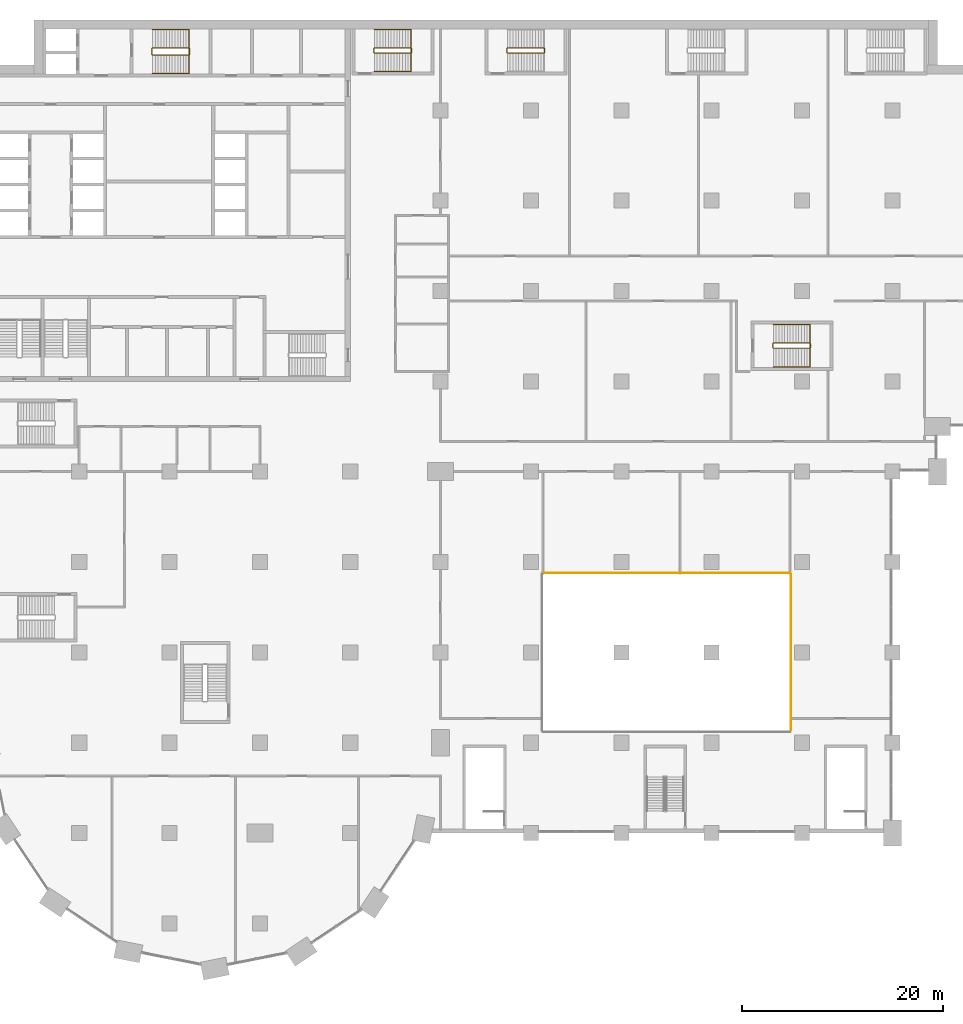
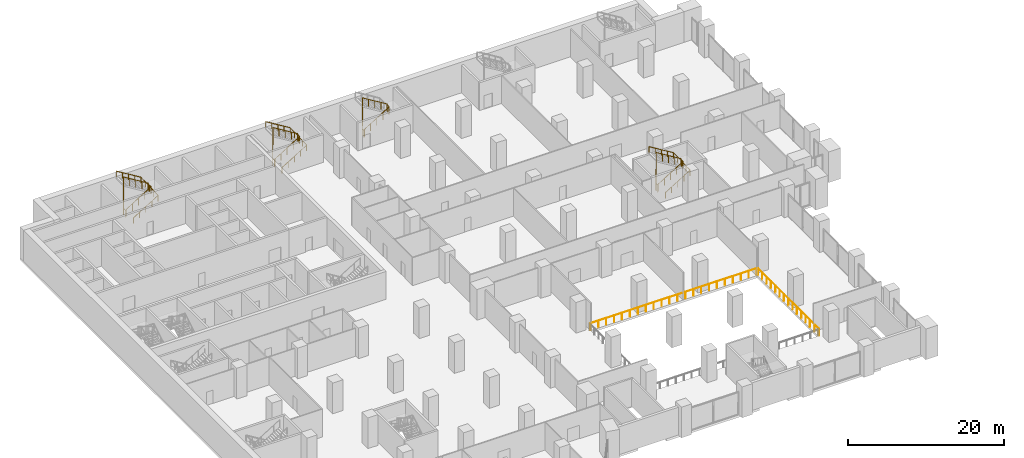
# One storey, part 31 of 32: 9 railings.
"""IFC4 building model written with IfcOpenShell, lengths in metres."""

from ifc_helpers import new_model, si_unit, direction, frame, origin, origin_2d, place, context, subcontext, project, spatial, circle, extrude, material, type_object, element, save


model = new_model("IFC4")

# Units and contexts
model_context = context("Model", 3, precision=1e-05, world=origin(), true_north=direction((0.0, 1.0)))
body_context = subcontext(model_context, "Body", "Model", "MODEL_VIEW")
ifc_project = project(units=[si_unit("LENGTHUNIT", "METRE"), si_unit("AREAUNIT", "SQUARE_METRE"), si_unit("VOLUMEUNIT", "CUBIC_METRE"), si_unit("PLANEANGLEUNIT", "RADIAN"), si_unit("MASSUNIT", "GRAM", prefix="KILO")], contexts=[model_context])

# Site, building, storey
site_placement = place(None, origin())
site = spatial("IfcSite", under=ifc_project, at=site_placement, CompositionType="ELEMENT")
building_placement = place(site_placement, origin())
building = spatial("IfcBuilding", under=site, at=building_placement, Name="Hunhe Ridgeline Campus", CompositionType="ELEMENT")
storey_placement = place(building_placement, frame((0.0, 0.0, 26.39990234375)))
storey = spatial("IfcBuildingStorey", under=building, at=storey_placement, Name="L05", CompositionType="ELEMENT", Elevation=26.39990234375)

# Railings
ifc_material_1 = material(Name="Glass and steel", Category="steel")
railing_type_1 = type_object("IfcRailingType", Name="Atrium glass guard 1100", PredefinedType="GUARDRAIL", material=ifc_material_1)
railing_1_placement = place(storey_placement, frame((79.919921875, 28.199951171875, 0.0)))
element("IfcRailing", 1, at=railing_1_placement, inside=storey, type_object=railing_type_1, Name="L05 atrium guard", PredefinedType="GUARDRAIL", context=body_context, shape_type="SweptSolid", body=[
    extrude(circle(Radius=0.02392578125, at=origin_2d()), frame((0.0, 0.0, 1.076171875), z_axis=(0.0, 1.0, 0.0), x_axis=(-1.0, 0.0, 0.0)), (0.0, 0.0, 1.0), 15.60009765625),
    extrude(circle(Radius=0.02099609375, at=origin_2d()), origin(), (0.0, 0.0, 1.0), 1.052001953125),
    extrude(circle(Radius=0.02099609375, at=origin_2d()), frame((0.0, 1.1142578125, 0.0)), (0.0, 0.0, 1.0), 1.052001953125),
    extrude(circle(Radius=0.02099609375, at=origin_2d()), frame((0.0, 2.228515625, 0.0)), (0.0, 0.0, 1.0), 1.052001953125),
    extrude(circle(Radius=0.02099609375, at=origin_2d()), frame((0.0, 3.3427734375, 0.0)), (0.0, 0.0, 1.0), 1.052001953125),
    extrude(circle(Radius=0.02099609375, at=origin_2d()), frame((0.0, 4.457275390625, 0.0)), (0.0, 0.0, 1.0), 1.052001953125),
    extrude(circle(Radius=0.02099609375, at=origin_2d()), frame((0.0, 5.571533203125, 0.0)), (0.0, 0.0, 1.0), 1.052001953125),
    extrude(circle(Radius=0.02099609375, at=origin_2d()), frame((0.0, 6.685791015625, 0.0)), (0.0, 0.0, 1.0), 1.052001953125),
    extrude(circle(Radius=0.02099609375, at=origin_2d()), frame((0.0, 7.800048828125, 0.0)), (0.0, 0.0, 1.0), 1.052001953125),
    extrude(circle(Radius=0.02099609375, at=origin_2d()), frame((0.0, 8.914306640625, 0.0)), (0.0, 0.0, 1.0), 1.052001953125),
    extrude(circle(Radius=0.02099609375, at=origin_2d()), frame((0.0, 10.028564453125, 0.0)), (0.0, 0.0, 1.0), 1.052001953125),
    extrude(circle(Radius=0.02099609375, at=origin_2d()), frame((0.0, 11.142822265625, 0.0)), (0.0, 0.0, 1.0), 1.052001953125),
    extrude(circle(Radius=0.02099609375, at=origin_2d()), frame((0.0, 12.25732421875, 0.0)), (0.0, 0.0, 1.0), 1.052001953125),
    extrude(circle(Radius=0.02099609375, at=origin_2d()), frame((0.0, 13.37158203125, 0.0)), (0.0, 0.0, 1.0), 1.052001953125),
    extrude(circle(Radius=0.02099609375, at=origin_2d()), frame((0.0, 14.48583984375, 0.0)), (0.0, 0.0, 1.0), 1.052001953125),
    extrude(circle(Radius=0.02099609375, at=origin_2d()), frame((0.0, 15.60009765625, 0.0)), (0.0, 0.0, 1.0), 1.052001953125),
])
railing_2_placement = place(storey_placement, frame((79.800048828125, 43.919921875, 0.0)))
element("IfcRailing", 2, at=railing_2_placement, inside=storey, type_object=railing_type_1, Name="L05 atrium guard", PredefinedType="GUARDRAIL", context=body_context, shape_type="SweptSolid", body=[
    extrude(circle(Radius=0.02392578125, at=origin_2d()), frame((0.0, 0.0, 1.076171875), z_axis=(-1.0, 0.0, 0.0), x_axis=(0.0, -1.0, 0.0)), (0.0, 0.0, 1.0), 24.60009765625),
    extrude(circle(Radius=0.02099609375, at=origin_2d()), origin(), (0.0, 0.0, 1.0), 1.052001953125),
    extrude(circle(Radius=0.02099609375, at=origin_2d()), frame((-1.17138671875, 0.0, 0.0)), (0.0, 0.0, 1.0), 1.052001953125),
    extrude(circle(Radius=0.02099609375, at=origin_2d()), frame((-2.3427734375, 0.0, 0.0)), (0.0, 0.0, 1.0), 1.052001953125),
    extrude(circle(Radius=0.02099609375, at=origin_2d()), frame((-3.514404296875, 0.0, 0.0)), (0.0, 0.0, 1.0), 1.052001953125),
    extrude(circle(Radius=0.02099609375, at=origin_2d()), frame((-4.685791015625, 0.0, 0.0)), (0.0, 0.0, 1.0), 1.052001953125),
    extrude(circle(Radius=0.02099609375, at=origin_2d()), frame((-5.857177734375, 0.0, 0.0)), (0.0, 0.0, 1.0), 1.052001953125),
    extrude(circle(Radius=0.02099609375, at=origin_2d()), frame((-7.028564453125, 0.0, 0.0)), (0.0, 0.0, 1.0), 1.052001953125),
    extrude(circle(Radius=0.02099609375, at=origin_2d()), frame((-8.199951171875, 0.0, 0.0)), (0.0, 0.0, 1.0), 1.052001953125),
    extrude(circle(Radius=0.02099609375, at=origin_2d()), frame((-9.37158203125, 0.0, 0.0)), (0.0, 0.0, 1.0), 1.052001953125),
    extrude(circle(Radius=0.02099609375, at=origin_2d()), frame((-10.54296875, 0.0, 0.0)), (0.0, 0.0, 1.0), 1.052001953125),
    extrude(circle(Radius=0.02099609375, at=origin_2d()), frame((-11.71435546875, 0.0, 0.0)), (0.0, 0.0, 1.0), 1.052001953125),
    extrude(circle(Radius=0.02099609375, at=origin_2d()), frame((-12.8857421875, 0.0, 0.0)), (0.0, 0.0, 1.0), 1.052001953125),
    extrude(circle(Radius=0.02099609375, at=origin_2d()), frame((-14.05712890625, 0.0, 0.0)), (0.0, 0.0, 1.0), 1.052001953125),
    extrude(circle(Radius=0.02099609375, at=origin_2d()), frame((-15.228515625, 0.0, 0.0)), (0.0, 0.0, 1.0), 1.052001953125),
    extrude(circle(Radius=0.02099609375, at=origin_2d()), frame((-16.400146484375, 0.0, 0.0)), (0.0, 0.0, 1.0), 1.052001953125),
    extrude(circle(Radius=0.02099609375, at=origin_2d()), frame((-17.571533203125, 0.0, 0.0)), (0.0, 0.0, 1.0), 1.052001953125),
    extrude(circle(Radius=0.02099609375, at=origin_2d()), frame((-18.742919921875, 0.0, 0.0)), (0.0, 0.0, 1.0), 1.052001953125),
    extrude(circle(Radius=0.02099609375, at=origin_2d()), frame((-19.914306640625, 0.0, 0.0)), (0.0, 0.0, 1.0), 1.052001953125),
    extrude(circle(Radius=0.02099609375, at=origin_2d()), frame((-21.085693359375, 0.0, 0.0)), (0.0, 0.0, 1.0), 1.052001953125),
    extrude(circle(Radius=0.02099609375, at=origin_2d()), frame((-22.25732421875, 0.0, 0.0)), (0.0, 0.0, 1.0), 1.052001953125),
    extrude(circle(Radius=0.02099609375, at=origin_2d()), frame((-23.4287109375, 0.0, 0.0)), (0.0, 0.0, 1.0), 1.052001953125),
    extrude(circle(Radius=0.02099609375, at=origin_2d()), frame((-24.60009765625, 0.0, 0.0)), (0.0, 0.0, 1.0), 1.052001953125),
])
ifc_material_2 = material(Name="Stainless steel balustrade", Category="steel")
railing_type_2 = type_object("IfcRailingType", Name="Stair guard 1100 stainless", PredefinedType="GUARDRAIL", material=ifc_material_2)
railing_3_placement = place(storey_placement, frame((16.300048828125, 95.5, 0.171630859375)))
element("IfcRailing", 3, at=railing_3_placement, inside=storey, type_object=railing_type_2, Name="L05 stair S1 guard", PredefinedType="GUARDRAIL", context=body_context, shape_type="SweptSolid", body=[
    extrude(circle(Radius=0.02392578125, at=origin_2d()), frame((0.0, 0.0, 1.076171875), z_axis=(0.852850264322, 0.0, 0.5221555579), x_axis=(0.0, 1.0, 0.0)), (0.0, 0.0, 1.0), 4.267822265625),
    extrude(circle(Radius=0.02392578125, at=origin_2d()), frame((3.639892578125, 0.0, 3.3046875), z_axis=(0.707106781187, 0.707106781187, 0.0), x_axis=(-0.707106781187, 0.707106781187, 0.0)), (0.0, 0.0, 1.0), 0.07080078125),
    extrude(circle(Radius=0.02392578125, at=origin_2d()), frame((3.68994140625, 0.050048828125, 3.3046875), z_axis=(0.0, 1.0, 0.0), x_axis=(-1.0, 0.0, 0.0)), (0.0, 0.0, 1.0), 0.599853515625),
    extrude(circle(Radius=0.02392578125, at=origin_2d()), frame((3.68994140625, 0.64990234375, 3.3046875), z_axis=(-0.269911200495, 0.269911200495, 0.924281281696), x_axis=(-0.707106781187, -0.707106781187, 0.0)), (0.0, 0.0, 1.0), 0.185546875),
    extrude(circle(Radius=0.02392578125, at=origin_2d()), frame((3.639892578125, 0.699951171875, 3.47607421875), z_axis=(-0.852850264322, 0.0, 0.5221555579), x_axis=(0.0, -1.0, 0.0)), (0.0, 0.0, 1.0), 4.267822265625),
    extrude(circle(Radius=0.02392578125, at=origin_2d()), frame((0.0, 0.699951171875, 5.70458984375), z_axis=(-0.010425599751, -0.010425599751, -0.999891300962), x_axis=(0.707106781187, -0.707106781187, 0.0)), (0.0, 0.0, 1.0), 4.800537109375),
    extrude(circle(Radius=0.02392578125, at=origin_2d()), frame((-0.050048828125, 0.64990234375, 0.904296875), z_axis=(0.0, -1.0, 0.0), x_axis=(1.0, 0.0, 0.0)), (0.0, 0.0, 1.0), 0.599853515625),
    extrude(circle(Radius=0.02099609375, at=origin_2d()), origin(), (0.0, 0.0, 1.0), 1.052001953125),
    extrude(circle(Radius=0.02099609375, at=origin_2d()), frame((0.909912109375, 0.0, 0.55712890625)), (0.0, 0.0, 1.0), 1.052001953125),
    extrude(circle(Radius=0.02099609375, at=origin_2d()), frame((1.81982421875, 0.0, 1.1142578125)), (0.0, 0.0, 1.0), 1.052001953125),
    extrude(circle(Radius=0.02099609375, at=origin_2d()), frame((2.72998046875, 0.0, 1.67138671875)), (0.0, 0.0, 1.0), 1.052001953125),
    extrude(circle(Radius=0.02099609375, at=origin_2d()), frame((3.639892578125, 0.0, 2.228515625)), (0.0, 0.0, 1.0), 1.052001953125),
    extrude(circle(Radius=0.02099609375, at=origin_2d()), frame((3.68994140625, 0.050048828125, 2.228515625)), (0.0, 0.0, 1.0), 1.052001953125),
    extrude(circle(Radius=0.02099609375, at=origin_2d()), frame((3.68994140625, 0.64990234375, 2.228515625)), (0.0, 0.0, 1.0), 1.052001953125),
    extrude(circle(Radius=0.02099609375, at=origin_2d()), frame((3.639892578125, 0.699951171875, 2.39990234375)), (0.0, 0.0, 1.0), 1.052001953125),
    extrude(circle(Radius=0.02099609375, at=origin_2d()), frame((2.72998046875, 0.699951171875, 2.95703125)), (0.0, 0.0, 1.0), 1.052001953125),
    extrude(circle(Radius=0.02099609375, at=origin_2d()), frame((1.81982421875, 0.699951171875, 3.51416015625)), (0.0, 0.0, 1.0), 1.052001953125),
    extrude(circle(Radius=0.02099609375, at=origin_2d()), frame((0.909912109375, 0.699951171875, 4.0712890625)), (0.0, 0.0, 1.0), 1.052001953125),
    extrude(circle(Radius=0.02099609375, at=origin_2d()), frame((0.0, 0.699951171875, 4.62841796875)), (0.0, 0.0, 1.0), 1.052001953125),
    extrude(circle(Radius=0.02099609375, at=origin_2d()), frame((-0.010009765625, 0.68994140625, 3.66845703125)), (0.0, 0.0, 1.0), 1.052001953125),
    extrude(circle(Radius=0.02099609375, at=origin_2d()), frame((-0.02001953125, 0.679931640625, 2.70849609375)), (0.0, 0.0, 1.0), 1.052001953125),
    extrude(circle(Radius=0.02099609375, at=origin_2d()), frame((-0.030029296875, 0.669921875, 1.748291015625)), (0.0, 0.0, 1.0), 1.052001953125),
    extrude(circle(Radius=0.02099609375, at=origin_2d()), frame((-0.0400390625, 0.659912109375, 0.788330078125)), (0.0, 0.0, 1.0), 1.052001953125),
    extrude(circle(Radius=0.02099609375, at=origin_2d()), frame((-0.050048828125, 0.64990234375, -0.171630859375)), (0.0, 0.0, 1.0), 1.052001953125),
    extrude(circle(Radius=0.02099609375, at=origin_2d()), frame((-0.050048828125, 0.050048828125, -0.171630859375)), (0.0, 0.0, 1.0), 1.052001953125),
])
railing_4_placement = place(storey_placement, frame((38.39990234375, 95.699951171875, 0.171630859375)))
element("IfcRailing", 4, at=railing_4_placement, inside=storey, type_object=railing_type_2, Name="L05 stair E1 guard", PredefinedType="GUARDRAIL", context=body_context, shape_type="SweptSolid", body=[
    extrude(circle(Radius=0.02392578125, at=origin_2d()), frame((0.0, 0.0, 1.076171875), z_axis=(0.852865859571, 0.0, 0.52213008492), x_axis=(0.0, 1.0, 0.0)), (0.0, 0.0, 1.0), 4.26806640625),
    extrude(circle(Radius=0.02392578125, at=origin_2d()), frame((3.64013671875, 0.0, 3.3046875), z_axis=(0.707106781187, 0.707106781187, 0.0), x_axis=(-0.707106781187, 0.707106781187, 0.0)), (0.0, 0.0, 1.0), 0.07080078125),
    extrude(circle(Radius=0.02392578125, at=origin_2d()), frame((3.690185546875, 0.050048828125, 3.3046875), z_axis=(0.0, 1.0, 0.0), x_axis=(-1.0, 0.0, 0.0)), (0.0, 0.0, 1.0), 0.39990234375),
    extrude(circle(Radius=0.02392578125, at=origin_2d()), frame((3.690185546875, 0.449951171875, 3.3046875), z_axis=(-0.269911200495, 0.269911200495, 0.924281281696), x_axis=(-0.707106781187, -0.707106781187, 0.0)), (0.0, 0.0, 1.0), 0.185546875),
    extrude(circle(Radius=0.02392578125, at=origin_2d()), frame((3.64013671875, 0.5, 3.47607421875), z_axis=(-0.852865859571, 0.0, 0.52213008492), x_axis=(0.0, -1.0, 0.0)), (0.0, 0.0, 1.0), 4.26806640625),
    extrude(circle(Radius=0.02392578125, at=origin_2d()), frame((0.0, 0.5, 5.70458984375), z_axis=(-0.010374748654, -0.010425605265, -0.999891829822), x_axis=(0.708833529934, -0.705375805398, 0.0)), (0.0, 0.0, 1.0), 4.800537109375),
    extrude(circle(Radius=0.02392578125, at=origin_2d()), frame((-0.0498046875, 0.449951171875, 0.904296875), z_axis=(0.0, -1.0, 0.0), x_axis=(1.0, 0.0, 0.0)), (0.0, 0.0, 1.0), 0.39990234375),
    extrude(circle(Radius=0.02099609375, at=origin_2d()), origin(), (0.0, 0.0, 1.0), 1.052001953125),
    extrude(circle(Radius=0.02099609375, at=origin_2d()), frame((0.91015625, 0.0, 0.55712890625)), (0.0, 0.0, 1.0), 1.052001953125),
    extrude(circle(Radius=0.02099609375, at=origin_2d()), frame((1.820068359375, 0.0, 1.1142578125)), (0.0, 0.0, 1.0), 1.052001953125),
    extrude(circle(Radius=0.02099609375, at=origin_2d()), frame((2.72998046875, 0.0, 1.67138671875)), (0.0, 0.0, 1.0), 1.052001953125),
    extrude(circle(Radius=0.02099609375, at=origin_2d()), frame((3.64013671875, 0.0, 2.228515625)), (0.0, 0.0, 1.0), 1.052001953125),
    extrude(circle(Radius=0.02099609375, at=origin_2d()), frame((3.690185546875, 0.050048828125, 2.228515625)), (0.0, 0.0, 1.0), 1.052001953125),
    extrude(circle(Radius=0.02099609375, at=origin_2d()), frame((3.690185546875, 0.449951171875, 2.228515625)), (0.0, 0.0, 1.0), 1.052001953125),
    extrude(circle(Radius=0.02099609375, at=origin_2d()), frame((3.64013671875, 0.5, 2.39990234375)), (0.0, 0.0, 1.0), 1.052001953125),
    extrude(circle(Radius=0.02099609375, at=origin_2d()), frame((2.72998046875, 0.5, 2.95703125)), (0.0, 0.0, 1.0), 1.052001953125),
    extrude(circle(Radius=0.02099609375, at=origin_2d()), frame((1.820068359375, 0.5, 3.51416015625)), (0.0, 0.0, 1.0), 1.052001953125),
    extrude(circle(Radius=0.02099609375, at=origin_2d()), frame((0.91015625, 0.5, 4.0712890625)), (0.0, 0.0, 1.0), 1.052001953125),
    extrude(circle(Radius=0.02099609375, at=origin_2d()), frame((0.0, 0.5, 4.62841796875)), (0.0, 0.0, 1.0), 1.052001953125),
    extrude(circle(Radius=0.02099609375, at=origin_2d()), frame((-0.010009765625, 0.489990234375, 3.66845703125)), (0.0, 0.0, 1.0), 1.052001953125),
    extrude(circle(Radius=0.02099609375, at=origin_2d()), frame((-0.02001953125, 0.47998046875, 2.70849609375)), (0.0, 0.0, 1.0), 1.052001953125),
    extrude(circle(Radius=0.02099609375, at=origin_2d()), frame((-0.02978515625, 0.469970703125, 1.748291015625)), (0.0, 0.0, 1.0), 1.052001953125),
    extrude(circle(Radius=0.02099609375, at=origin_2d()), frame((-0.039794921875, 0.4599609375, 0.788330078125)), (0.0, 0.0, 1.0), 1.052001953125),
    extrude(circle(Radius=0.02099609375, at=origin_2d()), frame((-0.0498046875, 0.449951171875, -0.171630859375)), (0.0, 0.0, 1.0), 1.052001953125),
    extrude(circle(Radius=0.02099609375, at=origin_2d()), frame((-0.0498046875, 0.050048828125, -0.171630859375)), (0.0, 0.0, 1.0), 1.052001953125),
])
railing_5_placement = place(storey_placement, frame((51.64990234375, 95.699951171875, 0.171630859375)))
element("IfcRailing", 5, at=railing_5_placement, inside=storey, type_object=railing_type_2, Name="L05 stair E2 guard", PredefinedType="GUARDRAIL", context=body_context, shape_type="SweptSolid", body=[
    extrude(circle(Radius=0.02392578125, at=origin_2d()), frame((0.0, 0.0, 1.076171875), z_axis=(0.852865859571, 0.0, 0.52213008492), x_axis=(0.0, 1.0, 0.0)), (0.0, 0.0, 1.0), 4.26806640625),
    extrude(circle(Radius=0.02392578125, at=origin_2d()), frame((3.64013671875, 0.0, 3.3046875), z_axis=(0.707106781187, 0.707106781187, 0.0), x_axis=(-0.707106781187, 0.707106781187, 0.0)), (0.0, 0.0, 1.0), 0.07080078125),
    extrude(circle(Radius=0.02392578125, at=origin_2d()), frame((3.690185546875, 0.050048828125, 3.3046875), z_axis=(0.0, 1.0, 0.0), x_axis=(-1.0, 0.0, 0.0)), (0.0, 0.0, 1.0), 0.39990234375),
    extrude(circle(Radius=0.02392578125, at=origin_2d()), frame((3.690185546875, 0.449951171875, 3.3046875), z_axis=(-0.269911200495, 0.269911200495, 0.924281281696), x_axis=(-0.707106781187, -0.707106781187, 0.0)), (0.0, 0.0, 1.0), 0.185546875),
    extrude(circle(Radius=0.02392578125, at=origin_2d()), frame((3.64013671875, 0.5, 3.47607421875), z_axis=(-0.852865859571, 0.0, 0.52213008492), x_axis=(0.0, -1.0, 0.0)), (0.0, 0.0, 1.0), 4.26806640625),
    extrude(circle(Radius=0.02392578125, at=origin_2d()), frame((0.0, 0.5, 5.70458984375), z_axis=(-0.010374748654, -0.010425605265, -0.999891829822), x_axis=(0.708833529934, -0.705375805398, 0.0)), (0.0, 0.0, 1.0), 4.800537109375),
    extrude(circle(Radius=0.02392578125, at=origin_2d()), frame((-0.0498046875, 0.449951171875, 0.904296875), z_axis=(0.0, -1.0, 0.0), x_axis=(1.0, 0.0, 0.0)), (0.0, 0.0, 1.0), 0.39990234375),
    extrude(circle(Radius=0.02099609375, at=origin_2d()), origin(), (0.0, 0.0, 1.0), 1.052001953125),
    extrude(circle(Radius=0.02099609375, at=origin_2d()), frame((0.91015625, 0.0, 0.55712890625)), (0.0, 0.0, 1.0), 1.052001953125),
    extrude(circle(Radius=0.02099609375, at=origin_2d()), frame((1.820068359375, 0.0, 1.1142578125)), (0.0, 0.0, 1.0), 1.052001953125),
    extrude(circle(Radius=0.02099609375, at=origin_2d()), frame((2.72998046875, 0.0, 1.67138671875)), (0.0, 0.0, 1.0), 1.052001953125),
    extrude(circle(Radius=0.02099609375, at=origin_2d()), frame((3.64013671875, 0.0, 2.228515625)), (0.0, 0.0, 1.0), 1.052001953125),
    extrude(circle(Radius=0.02099609375, at=origin_2d()), frame((3.690185546875, 0.050048828125, 2.228515625)), (0.0, 0.0, 1.0), 1.052001953125),
    extrude(circle(Radius=0.02099609375, at=origin_2d()), frame((3.690185546875, 0.449951171875, 2.228515625)), (0.0, 0.0, 1.0), 1.052001953125),
    extrude(circle(Radius=0.02099609375, at=origin_2d()), frame((3.64013671875, 0.5, 2.39990234375)), (0.0, 0.0, 1.0), 1.052001953125),
    extrude(circle(Radius=0.02099609375, at=origin_2d()), frame((2.72998046875, 0.5, 2.95703125)), (0.0, 0.0, 1.0), 1.052001953125),
    extrude(circle(Radius=0.02099609375, at=origin_2d()), frame((1.820068359375, 0.5, 3.51416015625)), (0.0, 0.0, 1.0), 1.052001953125),
    extrude(circle(Radius=0.02099609375, at=origin_2d()), frame((0.91015625, 0.5, 4.0712890625)), (0.0, 0.0, 1.0), 1.052001953125),
    extrude(circle(Radius=0.02099609375, at=origin_2d()), frame((0.0, 0.5, 4.62841796875)), (0.0, 0.0, 1.0), 1.052001953125),
    extrude(circle(Radius=0.02099609375, at=origin_2d()), frame((-0.010009765625, 0.489990234375, 3.66845703125)), (0.0, 0.0, 1.0), 1.052001953125),
    extrude(circle(Radius=0.02099609375, at=origin_2d()), frame((-0.02001953125, 0.47998046875, 2.70849609375)), (0.0, 0.0, 1.0), 1.052001953125),
    extrude(circle(Radius=0.02099609375, at=origin_2d()), frame((-0.02978515625, 0.469970703125, 1.748291015625)), (0.0, 0.0, 1.0), 1.052001953125),
    extrude(circle(Radius=0.02099609375, at=origin_2d()), frame((-0.039794921875, 0.4599609375, 0.788330078125)), (0.0, 0.0, 1.0), 1.052001953125),
    extrude(circle(Radius=0.02099609375, at=origin_2d()), frame((-0.0498046875, 0.449951171875, -0.171630859375)), (0.0, 0.0, 1.0), 1.052001953125),
    extrude(circle(Radius=0.02099609375, at=origin_2d()), frame((-0.0498046875, 0.050048828125, -0.171630859375)), (0.0, 0.0, 1.0), 1.052001953125),
])
railing_6_placement = place(storey_placement, frame((78.14990234375, 66.300048828125, 0.171630859375)))
element("IfcRailing", 6, at=railing_6_placement, inside=storey, type_object=railing_type_2, Name="L05 stair E5 guard", PredefinedType="GUARDRAIL", context=body_context, shape_type="SweptSolid", body=[
    extrude(circle(Radius=0.02392578125, at=origin_2d()), frame((0.0, 0.0, 1.076171875), z_axis=(0.852865859571, 0.0, 0.52213008492), x_axis=(0.0, 1.0, 0.0)), (0.0, 0.0, 1.0), 4.26806640625),
    extrude(circle(Radius=0.02392578125, at=origin_2d()), frame((3.64013671875, 0.0, 3.3046875), z_axis=(0.707106781187, 0.707106781187, 0.0), x_axis=(-0.707106781187, 0.707106781187, 0.0)), (0.0, 0.0, 1.0), 0.07080078125),
    extrude(circle(Radius=0.02392578125, at=origin_2d()), frame((3.690185546875, 0.050048828125, 3.3046875), z_axis=(0.0, 1.0, 0.0), x_axis=(-1.0, 0.0, 0.0)), (0.0, 0.0, 1.0), 0.39990234375),
    extrude(circle(Radius=0.02392578125, at=origin_2d()), frame((3.690185546875, 0.449951171875, 3.3046875), z_axis=(-0.269911200495, 0.269911200495, 0.924281281696), x_axis=(-0.707106781187, -0.707106781187, 0.0)), (0.0, 0.0, 1.0), 0.185546875),
    extrude(circle(Radius=0.02392578125, at=origin_2d()), frame((3.64013671875, 0.5, 3.47607421875), z_axis=(-0.852865859571, 0.0, 0.52213008492), x_axis=(0.0, -1.0, 0.0)), (0.0, 0.0, 1.0), 4.26806640625),
    extrude(circle(Radius=0.02392578125, at=origin_2d()), frame((0.0, 0.5, 5.70458984375), z_axis=(-0.010374748654, -0.010425605265, -0.999891829822), x_axis=(0.708833529934, -0.705375805398, 0.0)), (0.0, 0.0, 1.0), 4.800537109375),
    extrude(circle(Radius=0.02392578125, at=origin_2d()), frame((-0.0498046875, 0.449951171875, 0.904296875), z_axis=(0.0, -1.0, 0.0), x_axis=(1.0, 0.0, 0.0)), (0.0, 0.0, 1.0), 0.39990234375),
    extrude(circle(Radius=0.02099609375, at=origin_2d()), origin(), (0.0, 0.0, 1.0), 1.052001953125),
    extrude(circle(Radius=0.02099609375, at=origin_2d()), frame((0.91015625, 0.0, 0.55712890625)), (0.0, 0.0, 1.0), 1.052001953125),
    extrude(circle(Radius=0.02099609375, at=origin_2d()), frame((1.820068359375, 0.0, 1.1142578125)), (0.0, 0.0, 1.0), 1.052001953125),
    extrude(circle(Radius=0.02099609375, at=origin_2d()), frame((2.72998046875, 0.0, 1.67138671875)), (0.0, 0.0, 1.0), 1.052001953125),
    extrude(circle(Radius=0.02099609375, at=origin_2d()), frame((3.64013671875, 0.0, 2.228515625)), (0.0, 0.0, 1.0), 1.052001953125),
    extrude(circle(Radius=0.02099609375, at=origin_2d()), frame((3.690185546875, 0.050048828125, 2.228515625)), (0.0, 0.0, 1.0), 1.052001953125),
    extrude(circle(Radius=0.02099609375, at=origin_2d()), frame((3.690185546875, 0.449951171875, 2.228515625)), (0.0, 0.0, 1.0), 1.052001953125),
    extrude(circle(Radius=0.02099609375, at=origin_2d()), frame((3.64013671875, 0.5, 2.39990234375)), (0.0, 0.0, 1.0), 1.052001953125),
    extrude(circle(Radius=0.02099609375, at=origin_2d()), frame((2.72998046875, 0.5, 2.95703125)), (0.0, 0.0, 1.0), 1.052001953125),
    extrude(circle(Radius=0.02099609375, at=origin_2d()), frame((1.820068359375, 0.5, 3.51416015625)), (0.0, 0.0, 1.0), 1.052001953125),
    extrude(circle(Radius=0.02099609375, at=origin_2d()), frame((0.91015625, 0.5, 4.0712890625)), (0.0, 0.0, 1.0), 1.052001953125),
    extrude(circle(Radius=0.02099609375, at=origin_2d()), frame((0.0, 0.5, 4.62841796875)), (0.0, 0.0, 1.0), 1.052001953125),
    extrude(circle(Radius=0.02099609375, at=origin_2d()), frame((-0.010009765625, 0.489990234375, 3.66845703125)), (0.0, 0.0, 1.0), 1.052001953125),
    extrude(circle(Radius=0.02099609375, at=origin_2d()), frame((-0.02001953125, 0.47998046875, 2.70849609375)), (0.0, 0.0, 1.0), 1.052001953125),
    extrude(circle(Radius=0.02099609375, at=origin_2d()), frame((-0.02978515625, 0.469970703125, 1.748291015625)), (0.0, 0.0, 1.0), 1.052001953125),
    extrude(circle(Radius=0.02099609375, at=origin_2d()), frame((-0.039794921875, 0.4599609375, 0.788330078125)), (0.0, 0.0, 1.0), 1.052001953125),
    extrude(circle(Radius=0.02099609375, at=origin_2d()), frame((-0.0498046875, 0.449951171875, -0.171630859375)), (0.0, 0.0, 1.0), 1.052001953125),
    extrude(circle(Radius=0.02099609375, at=origin_2d()), frame((-0.0498046875, 0.050048828125, -0.171630859375)), (0.0, 0.0, 1.0), 1.052001953125),
])
ifc_material_3 = material(Name="Stainless steel handrail", Category="steel")
railing_type_3 = type_object("IfcRailingType", Name="Stair handrail 900 stainless", PredefinedType="HANDRAIL", material=ifc_material_3)
railing_7_placement = place(storey_placement, frame((16.300048828125, 93.64990234375, 0.171630859375)))
element("IfcRailing", 7, at=railing_7_placement, inside=storey, type_object=railing_type_3, Name="L05 stair S1 handrail", PredefinedType="HANDRAIL", context=body_context, shape_type="SweptSolid", body=[
    extrude(circle(Radius=0.02392578125, at=origin_2d()), frame((0.0, 0.0, 0.8759765625), z_axis=(0.852850264322, 0.0, 0.5221555579), x_axis=(0.0, 1.0, 0.0)), (0.0, 0.0, 1.0), 4.267822265625),
    extrude(circle(Radius=0.02392578125, at=origin_2d()), frame((3.639892578125, 0.0, 3.1044921875), z_axis=(0.0, 0.999242301812, 0.038920717742), x_axis=(-1.0, 0.0, 0.0)), (0.0, 0.0, 1.0), 4.403564453125),
    extrude(circle(Radius=0.02392578125, at=origin_2d()), frame((3.639892578125, 4.400146484375, 3.27587890625), z_axis=(-0.852850264322, 0.0, 0.5221555579), x_axis=(0.0, -1.0, 0.0)), (0.0, 0.0, 1.0), 4.267822265625),
    extrude(circle(Radius=0.02099609375, at=origin_2d()), origin(), (0.0, 0.0, 1.0), 0.851806640625),
    extrude(circle(Radius=0.02099609375, at=origin_2d()), frame((0.909912109375, 0.0, 0.55712890625)), (0.0, 0.0, 1.0), 0.851806640625),
    extrude(circle(Radius=0.02099609375, at=origin_2d()), frame((1.81982421875, 0.0, 1.1142578125)), (0.0, 0.0, 1.0), 0.851806640625),
    extrude(circle(Radius=0.02099609375, at=origin_2d()), frame((2.72998046875, 0.0, 1.67138671875)), (0.0, 0.0, 1.0), 0.851806640625),
    extrude(circle(Radius=0.02099609375, at=origin_2d()), frame((3.639892578125, 0.0, 2.228515625)), (0.0, 0.0, 1.0), 0.851806640625),
    extrude(circle(Radius=0.02099609375, at=origin_2d()), frame((3.639892578125, 1.10009765625, 2.271484375)), (0.0, 0.0, 1.0), 0.851806640625),
    extrude(circle(Radius=0.02099609375, at=origin_2d()), frame((3.639892578125, 2.2001953125, 2.314208984375)), (0.0, 0.0, 1.0), 0.851806640625),
    extrude(circle(Radius=0.02099609375, at=origin_2d()), frame((3.639892578125, 3.300048828125, 2.35693359375)), (0.0, 0.0, 1.0), 0.851806640625),
    extrude(circle(Radius=0.02099609375, at=origin_2d()), frame((3.639892578125, 4.400146484375, 2.39990234375)), (0.0, 0.0, 1.0), 0.851806640625),
    extrude(circle(Radius=0.02099609375, at=origin_2d()), frame((2.72998046875, 4.400146484375, 2.95703125)), (0.0, 0.0, 1.0), 0.851806640625),
    extrude(circle(Radius=0.02099609375, at=origin_2d()), frame((1.81982421875, 4.400146484375, 3.51416015625)), (0.0, 0.0, 1.0), 0.851806640625),
    extrude(circle(Radius=0.02099609375, at=origin_2d()), frame((0.909912109375, 4.400146484375, 4.0712890625)), (0.0, 0.0, 1.0), 0.851806640625),
    extrude(circle(Radius=0.02099609375, at=origin_2d()), frame((0.0, 4.400146484375, 4.62841796875)), (0.0, 0.0, 1.0), 0.851806640625),
])
railing_8_placement = place(storey_placement, frame((38.39990234375, 93.85009765625, 0.171630859375)))
element("IfcRailing", 8, at=railing_8_placement, inside=storey, type_object=railing_type_3, Name="L05 stair E1 handrail", PredefinedType="HANDRAIL", context=body_context, shape_type="SweptSolid", body=[
    extrude(circle(Radius=0.02392578125, at=origin_2d()), frame((0.0, 0.0, 0.8759765625), z_axis=(0.852865859571, 0.0, 0.52213008492), x_axis=(0.0, 1.0, 0.0)), (0.0, 0.0, 1.0), 4.26806640625),
    extrude(circle(Radius=0.02392578125, at=origin_2d()), frame((3.64013671875, 0.0, 3.1044921875), z_axis=(0.0, 0.999168439458, 0.040772902662), x_axis=(-1.0, 0.0, 0.0)), (0.0, 0.0, 1.0), 4.203369140625),
    extrude(circle(Radius=0.02392578125, at=origin_2d()), frame((3.64013671875, 4.199951171875, 3.27587890625), z_axis=(-0.852865859571, 0.0, 0.52213008492), x_axis=(0.0, -1.0, 0.0)), (0.0, 0.0, 1.0), 4.26806640625),
    extrude(circle(Radius=0.02099609375, at=origin_2d()), origin(), (0.0, 0.0, 1.0), 0.851806640625),
    extrude(circle(Radius=0.02099609375, at=origin_2d()), frame((0.91015625, 0.0, 0.55712890625)), (0.0, 0.0, 1.0), 0.851806640625),
    extrude(circle(Radius=0.02099609375, at=origin_2d()), frame((1.820068359375, 0.0, 1.1142578125)), (0.0, 0.0, 1.0), 0.851806640625),
    extrude(circle(Radius=0.02099609375, at=origin_2d()), frame((2.72998046875, 0.0, 1.67138671875)), (0.0, 0.0, 1.0), 0.851806640625),
    extrude(circle(Radius=0.02099609375, at=origin_2d()), frame((3.64013671875, 0.0, 2.228515625)), (0.0, 0.0, 1.0), 0.851806640625),
    extrude(circle(Radius=0.02099609375, at=origin_2d()), frame((3.64013671875, 1.050048828125, 2.271484375)), (0.0, 0.0, 1.0), 0.851806640625),
    extrude(circle(Radius=0.02099609375, at=origin_2d()), frame((3.64013671875, 2.10009765625, 2.314208984375)), (0.0, 0.0, 1.0), 0.851806640625),
    extrude(circle(Radius=0.02099609375, at=origin_2d()), frame((3.64013671875, 3.14990234375, 2.35693359375)), (0.0, 0.0, 1.0), 0.851806640625),
    extrude(circle(Radius=0.02099609375, at=origin_2d()), frame((3.64013671875, 4.199951171875, 2.39990234375)), (0.0, 0.0, 1.0), 0.851806640625),
    extrude(circle(Radius=0.02099609375, at=origin_2d()), frame((2.72998046875, 4.199951171875, 2.95703125)), (0.0, 0.0, 1.0), 0.851806640625),
    extrude(circle(Radius=0.02099609375, at=origin_2d()), frame((1.820068359375, 4.199951171875, 3.51416015625)), (0.0, 0.0, 1.0), 0.851806640625),
    extrude(circle(Radius=0.02099609375, at=origin_2d()), frame((0.91015625, 4.199951171875, 4.0712890625)), (0.0, 0.0, 1.0), 0.851806640625),
    extrude(circle(Radius=0.02099609375, at=origin_2d()), frame((0.0, 4.199951171875, 4.62841796875)), (0.0, 0.0, 1.0), 0.851806640625),
])
railing_9_placement = place(storey_placement, frame((78.14990234375, 64.449951171875, 0.171630859375)))
element("IfcRailing", 9, at=railing_9_placement, inside=storey, type_object=railing_type_3, Name="L05 stair E5 handrail", PredefinedType="HANDRAIL", context=body_context, shape_type="SweptSolid", body=[
    extrude(circle(Radius=0.02392578125, at=origin_2d()), frame((0.0, 0.0, 0.8759765625), z_axis=(0.852865859571, 0.0, 0.52213008492), x_axis=(0.0, 1.0, 0.0)), (0.0, 0.0, 1.0), 4.26806640625),
    extrude(circle(Radius=0.02392578125, at=origin_2d()), frame((3.64013671875, 0.0, 3.1044921875), z_axis=(0.0, 0.999168439458, 0.040772902662), x_axis=(-1.0, 0.0, 0.0)), (0.0, 0.0, 1.0), 4.203369140625),
    extrude(circle(Radius=0.02392578125, at=origin_2d()), frame((3.64013671875, 4.199951171875, 3.27587890625), z_axis=(-0.852865859571, 0.0, 0.52213008492), x_axis=(0.0, -1.0, 0.0)), (0.0, 0.0, 1.0), 4.26806640625),
    extrude(circle(Radius=0.02099609375, at=origin_2d()), origin(), (0.0, 0.0, 1.0), 0.851806640625),
    extrude(circle(Radius=0.02099609375, at=origin_2d()), frame((0.91015625, 0.0, 0.55712890625)), (0.0, 0.0, 1.0), 0.851806640625),
    extrude(circle(Radius=0.02099609375, at=origin_2d()), frame((1.820068359375, 0.0, 1.1142578125)), (0.0, 0.0, 1.0), 0.851806640625),
    extrude(circle(Radius=0.02099609375, at=origin_2d()), frame((2.72998046875, 0.0, 1.67138671875)), (0.0, 0.0, 1.0), 0.851806640625),
    extrude(circle(Radius=0.02099609375, at=origin_2d()), frame((3.64013671875, 0.0, 2.228515625)), (0.0, 0.0, 1.0), 0.851806640625),
    extrude(circle(Radius=0.02099609375, at=origin_2d()), frame((3.64013671875, 1.050048828125, 2.271484375)), (0.0, 0.0, 1.0), 0.851806640625),
    extrude(circle(Radius=0.02099609375, at=origin_2d()), frame((3.64013671875, 2.10009765625, 2.314208984375)), (0.0, 0.0, 1.0), 0.851806640625),
    extrude(circle(Radius=0.02099609375, at=origin_2d()), frame((3.64013671875, 3.14990234375, 2.35693359375)), (0.0, 0.0, 1.0), 0.851806640625),
    extrude(circle(Radius=0.02099609375, at=origin_2d()), frame((3.64013671875, 4.199951171875, 2.39990234375)), (0.0, 0.0, 1.0), 0.851806640625),
    extrude(circle(Radius=0.02099609375, at=origin_2d()), frame((2.72998046875, 4.199951171875, 2.95703125)), (0.0, 0.0, 1.0), 0.851806640625),
    extrude(circle(Radius=0.02099609375, at=origin_2d()), frame((1.820068359375, 4.199951171875, 3.51416015625)), (0.0, 0.0, 1.0), 0.851806640625),
    extrude(circle(Radius=0.02099609375, at=origin_2d()), frame((0.91015625, 4.199951171875, 4.0712890625)), (0.0, 0.0, 1.0), 0.851806640625),
    extrude(circle(Radius=0.02099609375, at=origin_2d()), frame((0.0, 4.199951171875, 4.62841796875)), (0.0, 0.0, 1.0), 0.851806640625),
])

save(model, "model.ifc")
